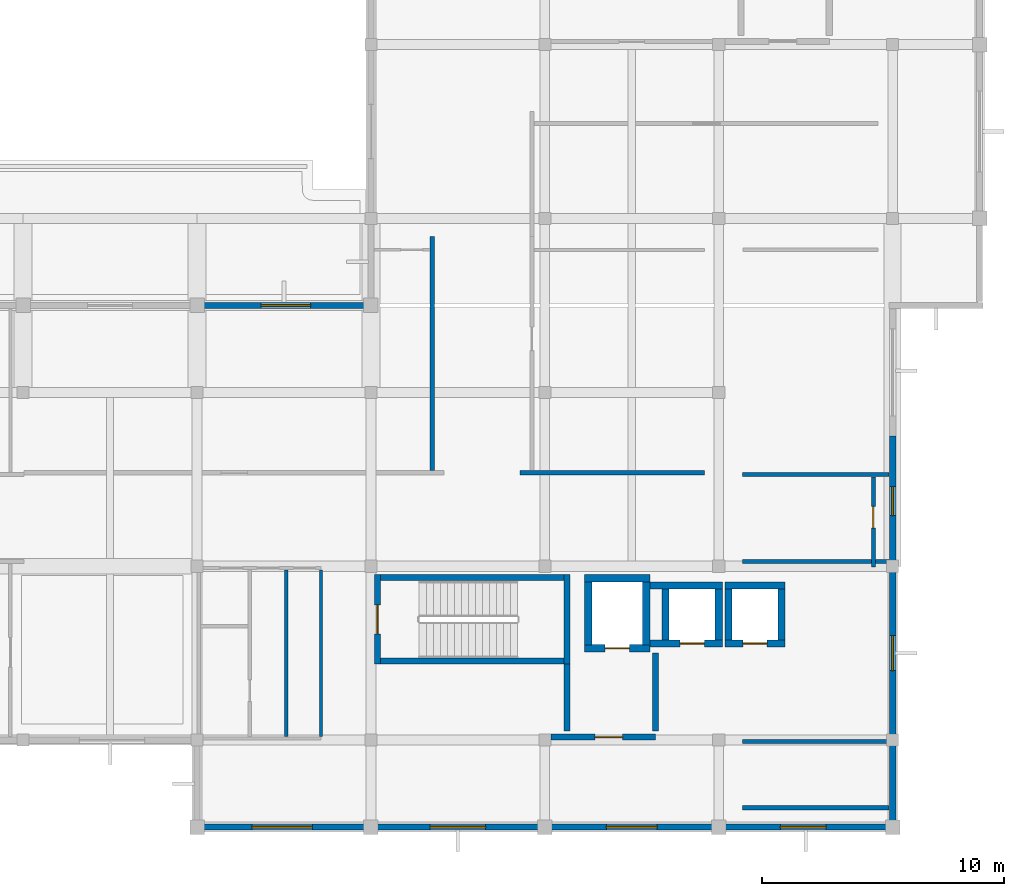
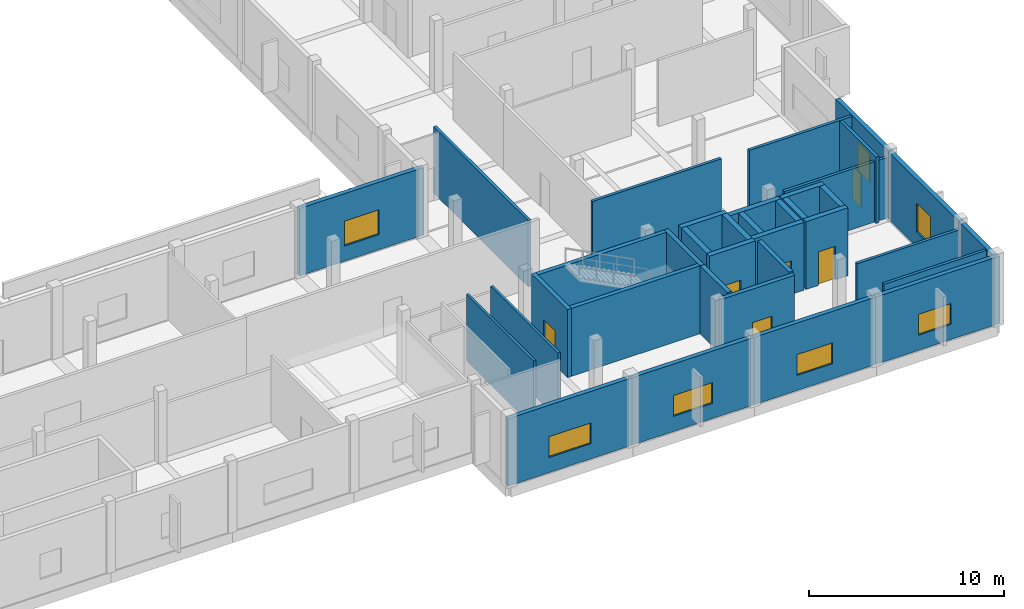
# One storey, part 4 of 9: 36 walls, 7 windows, 6 doors, 13 openings.
"""IFC4 building model written with IfcOpenShell, lengths in metres."""

from ifc_helpers import new_model, si_unit, direction, frame, frame_2d, origin, place, context, subcontext, project, spatial, rectangle, extrude, material, layer, layer_set, type_object, element, fill, save


model = new_model("IFC4")

# Units and contexts
model_context = context("Model", 3, precision=1e-05, world=origin(), true_north=direction((0.0, 1.0)))
body_context = subcontext(model_context, "Body", "Model", "MODEL_VIEW")
ifc_project = project(units=[si_unit("LENGTHUNIT", "METRE"), si_unit("AREAUNIT", "SQUARE_METRE"), si_unit("VOLUMEUNIT", "CUBIC_METRE"), si_unit("PLANEANGLEUNIT", "RADIAN"), si_unit("MASSUNIT", "GRAM", prefix="KILO")], contexts=[model_context])

# Site, building, storey
site_placement = place(None, origin())
site = spatial("IfcSite", under=ifc_project, at=site_placement, CompositionType="ELEMENT")
building_placement = place(site_placement, origin())
building = spatial("IfcBuilding", under=site, at=building_placement, Name="Seraya Terrace Polytechnic", CompositionType="ELEMENT")
storey_placement = place(building_placement, frame((0.0, 0.0, 32.39990234375)))
storey = spatial("IfcBuildingStorey", under=building, at=storey_placement, Name="L07", CompositionType="ELEMENT", Elevation=32.39990234375)

# Wall, opening, window
ifc_material_1 = material(Name="Precast concrete C40/50", Category="concrete")
ifc_layer_1 = layer(ifc_material_1, 0.260009765625, Name="EW-03")
ifc_layer_set_1 = layer_set([ifc_layer_1], Name="Precast concrete C40/50")
wall_type_1 = type_object("IfcWallType", Name="EW-03", PredefinedType="SOLIDWALL", material=ifc_layer_set_1)
wall_1_placement = place(storey_placement, frame((100.949951171875, 3.60009765625, 0.0), z_axis=(0.0, 0.0, 1.0), x_axis=(-1.0, 0.0, 0.0)))
wall_1 = element("IfcWall", 1, at=wall_1_placement, inside=storey, type_object=wall_type_1, Name="Exterior structural wall EW-03 L07", PredefinedType="SOLIDWALL", context=body_context, shape_type="SweptSolid", body=[
    extrude(rectangle(XDim=7.349853515625, YDim=0.260009765625, at=frame_2d((3.6748046875, 0.0))), origin(), (0.0, 0.0, 1.0), 4.22021484375),
])
opening_1_placement = place(wall_1_placement, frame((2.89990234375, 0.0, 0.949951171875)))
opening_1 = element("IfcOpeningElement", 2, at=opening_1_placement, cuts=wall_1, Name="Opening WN-07", PredefinedType="OPENING", context=body_context, shape_type="SweptSolid", body=[
    extrude(rectangle(XDim=1.89990234375, YDim=1.300048828125, at=frame_2d((0.949951171875, 0.64990234375))), frame((0.0, 0.14208984375, 0.0), z_axis=(0.0, -1.0, 0.0), x_axis=(1.0, 0.0, 0.0)), (0.0, 0.0, 1.0), 0.283935546875),
])
ifc_material_2 = material(Name="Laminated solar-control Low-E double glazing", Category="glass")
window_type_1 = type_object("IfcWindowType", Name="WN-07", PartitioningType="SINGLE_PANEL", PredefinedType="WINDOW", material=ifc_material_2)
window_1_placement = place(opening_1_placement, origin())
window_1 = element("IfcWindow", 3, at=window_1_placement, inside=storey, type_object=window_type_1, Name="Exterior window WN-07 L07", OverallHeight=1.300048828125, OverallWidth=1.89990234375, PartitioningType="SINGLE_PANEL", PredefinedType="WINDOW", context=body_context, shape_type="SweptSolid", body=[
    extrude(rectangle(XDim=1.89990234375, YDim=1.300048828125, at=frame_2d((0.949951171875, 0.64990234375))), frame((0.0, 0.030029296875, 0.0), z_axis=(0.0, -1.0, 0.0), x_axis=(1.0, 0.0, 0.0)), (0.0, 0.0, 1.0), 0.06005859375),
])
fill(opening_1, window_1)

wall_2_placement = place(storey_placement, frame((93.60009765625, 3.60009765625, 0.0), z_axis=(0.0, 0.0, 1.0), x_axis=(-1.0, 0.0, 0.0)))
wall_2 = element("IfcWall", 4, at=wall_2_placement, inside=storey, type_object=wall_type_1, Name="Exterior structural wall EW-03 L07", PredefinedType="SOLIDWALL", context=body_context, shape_type="SweptSolid", body=[
    extrude(rectangle(XDim=7.2001953125, YDim=0.260009765625, at=frame_2d((3.60009765625, 0.0))), origin(), (0.0, 0.0, 1.0), 4.22021484375),
])
opening_2_placement = place(wall_2_placement, frame((2.550048828125, 0.0, 0.949951171875)))
opening_2 = element("IfcOpeningElement", 5, at=opening_2_placement, cuts=wall_2, Name="Opening WN-08", PredefinedType="OPENING", context=body_context, shape_type="SweptSolid", body=[
    extrude(rectangle(XDim=2.10009765625, YDim=1.300048828125, at=frame_2d((1.050048828125, 0.64990234375))), frame((0.0, 0.14208984375, 0.0), z_axis=(0.0, -1.0, 0.0), x_axis=(1.0, 0.0, 0.0)), (0.0, 0.0, 1.0), 0.283935546875),
])
window_type_2 = type_object("IfcWindowType", Name="WN-08", PartitioningType="SINGLE_PANEL", PredefinedType="WINDOW", material=ifc_material_2)
window_2_placement = place(opening_2_placement, origin())
window_2 = element("IfcWindow", 6, at=window_2_placement, inside=storey, type_object=window_type_2, Name="Exterior window WN-08 L07", OverallHeight=1.300048828125, OverallWidth=2.10009765625, PartitioningType="SINGLE_PANEL", PredefinedType="WINDOW", context=body_context, shape_type="SweptSolid", body=[
    extrude(rectangle(XDim=2.10009765625, YDim=1.300048828125, at=frame_2d((1.050048828125, 0.64990234375))), frame((0.0, 0.030029296875, 0.0), z_axis=(0.0, -1.0, 0.0), x_axis=(1.0, 0.0, 0.0)), (0.0, 0.0, 1.0), 0.06005859375),
])
fill(opening_2, window_2)

wall_3_placement = place(storey_placement, frame((86.39990234375, 3.60009765625, 0.0), z_axis=(0.0, 0.0, 1.0), x_axis=(-1.0, 0.0, 0.0)))
wall_3 = element("IfcWall", 7, at=wall_3_placement, inside=storey, type_object=wall_type_1, Name="Exterior structural wall EW-03 L07", PredefinedType="SOLIDWALL", context=body_context, shape_type="SweptSolid", body=[
    extrude(rectangle(XDim=7.199951171875, YDim=0.260009765625, at=frame_2d((3.60009765625, 0.0))), origin(), (0.0, 0.0, 1.0), 4.22021484375),
])
opening_3_placement = place(wall_3_placement, frame((2.449951171875, 0.0, 0.949951171875)))
opening_3 = element("IfcOpeningElement", 8, at=opening_3_placement, cuts=wall_3, Name="Opening WN-09", PredefinedType="OPENING", context=body_context, shape_type="SweptSolid", body=[
    extrude(rectangle(XDim=2.300048828125, YDim=1.300048828125, at=frame_2d((1.14990234375, 0.64990234375))), frame((0.0, 0.14208984375, 0.0), z_axis=(0.0, -1.0, 0.0), x_axis=(1.0, 0.0, 0.0)), (0.0, 0.0, 1.0), 0.283935546875),
])
window_type_3 = type_object("IfcWindowType", Name="WN-09", PartitioningType="SINGLE_PANEL", PredefinedType="WINDOW", material=ifc_material_2)
window_3_placement = place(opening_3_placement, origin())
window_3 = element("IfcWindow", 9, at=window_3_placement, inside=storey, type_object=window_type_3, Name="Exterior window WN-09 L07", OverallHeight=1.300048828125, OverallWidth=2.300048828125, PartitioningType="SINGLE_PANEL", PredefinedType="WINDOW", context=body_context, shape_type="SweptSolid", body=[
    extrude(rectangle(XDim=2.300048828125, YDim=1.300048828125, at=frame_2d((1.14990234375, 0.64990234375))), frame((0.0, 0.030029296875, 0.0), z_axis=(0.0, -1.0, 0.0), x_axis=(1.0, 0.0, 0.0)), (0.0, 0.0, 1.0), 0.06005859375),
])
fill(opening_3, window_3)

wall_4_placement = place(storey_placement, frame((79.199951171875, 3.60009765625, 0.0), z_axis=(0.0, 0.0, 1.0), x_axis=(-1.0, 0.0, 0.0)))
wall_4 = element("IfcWall", 10, at=wall_4_placement, inside=storey, type_object=wall_type_1, Name="Exterior structural wall EW-03 L07", PredefinedType="SOLIDWALL", context=body_context, shape_type="SweptSolid", body=[
    extrude(rectangle(XDim=7.349853515625, YDim=0.260009765625, at=frame_2d((3.6748046875, 0.0))), origin(), (0.0, 0.0, 1.0), 4.22021484375),
])
opening_4_placement = place(wall_4_placement, frame((2.425048828125, 0.0, 0.949951171875)))
opening_4 = element("IfcOpeningElement", 11, at=opening_4_placement, cuts=wall_4, Name="Opening WN-10", PredefinedType="OPENING", context=body_context, shape_type="SweptSolid", body=[
    extrude(rectangle(XDim=2.5, YDim=1.300048828125, at=frame_2d((1.25, 0.64990234375))), frame((0.0, 0.14208984375, 0.0), z_axis=(0.0, -1.0, 0.0), x_axis=(1.0, 0.0, 0.0)), (0.0, 0.0, 1.0), 0.283935546875),
])
window_type_4 = type_object("IfcWindowType", Name="WN-10", PartitioningType="SINGLE_PANEL", PredefinedType="WINDOW", material=ifc_material_2)
window_4_placement = place(opening_4_placement, origin())
window_4 = element("IfcWindow", 12, at=window_4_placement, inside=storey, type_object=window_type_4, Name="Exterior window WN-10 L07", OverallHeight=1.300048828125, OverallWidth=2.5, PartitioningType="SINGLE_PANEL", PredefinedType="WINDOW", context=body_context, shape_type="SweptSolid", body=[
    extrude(rectangle(XDim=2.5, YDim=1.300048828125, at=frame_2d((1.25, 0.64990234375))), frame((0.0, 0.030029296875, 0.0), z_axis=(0.0, -1.0, 0.0), x_axis=(1.0, 0.0, 0.0)), (0.0, 0.0, 1.0), 0.06005859375),
])
fill(opening_4, window_4)

wall_5_placement = place(storey_placement, frame((72.0, 25.199951171875, 0.0), z_axis=(0.0, 0.0, 1.0), x_axis=(1.0, 0.0, 0.0)))
wall_5 = element("IfcWall", 13, at=wall_5_placement, inside=storey, type_object=wall_type_1, Name="Exterior structural wall EW-03 L07", PredefinedType="SOLIDWALL", context=body_context, shape_type="SweptSolid", body=[
    extrude(rectangle(XDim=7.35009765625, YDim=0.260009765625, at=frame_2d((3.675048828125, 0.0))), origin(), (0.0, 0.0, 1.0), 4.22021484375),
])
opening_5_placement = place(wall_5_placement, frame((2.64990234375, 0.0, 0.949951171875)))
opening_5 = element("IfcOpeningElement", 14, at=opening_5_placement, cuts=wall_5, Name="Opening WN-19", PredefinedType="OPENING", context=body_context, shape_type="SweptSolid", body=[
    extrude(rectangle(XDim=2.050048828125, YDim=1.550048828125, at=frame_2d((1.02490234375, 0.77490234375))), frame((0.0, 0.14208984375, 0.0), z_axis=(0.0, -1.0, 0.0), x_axis=(1.0, 0.0, 0.0)), (0.0, 0.0, 1.0), 0.283935546875),
])
window_type_5 = type_object("IfcWindowType", Name="WN-19", PartitioningType="SINGLE_PANEL", PredefinedType="WINDOW", material=ifc_material_2)
window_5_placement = place(opening_5_placement, origin())
window_5 = element("IfcWindow", 15, at=window_5_placement, inside=storey, type_object=window_type_5, Name="Exterior window WN-19 L07", OverallHeight=1.550048828125, OverallWidth=2.050048828125, PartitioningType="SINGLE_PANEL", PredefinedType="WINDOW", context=body_context, shape_type="SweptSolid", body=[
    extrude(rectangle(XDim=2.050048828125, YDim=1.550048828125, at=frame_2d((1.02490234375, 0.77490234375))), frame((0.0, 0.030029296875, 0.0), z_axis=(0.0, -1.0, 0.0), x_axis=(1.0, 0.0, 0.0)), (0.0, 0.0, 1.0), 0.06005859375),
])
fill(opening_5, window_5)

wall_6_placement = place(storey_placement, frame((100.800048828125, 19.800048828125, 0.0), z_axis=(0.0, 0.0, 1.0), x_axis=(0.0, -1.0, 0.0)))
wall_6 = element("IfcWall", 16, at=wall_6_placement, inside=storey, type_object=wall_type_1, Name="Exterior structural wall EW-03 L07", PredefinedType="SOLIDWALL", context=body_context, shape_type="SweptSolid", body=[
    extrude(rectangle(XDim=5.400146484375, YDim=0.260009765625, at=frame_2d((2.7001953125, 0.0))), origin(), (0.0, 0.0, 1.0), 4.22021484375),
])
opening_6_placement = place(wall_6_placement, frame((2.10009765625, 0.0, 0.949951171875)))
opening_6 = element("IfcOpeningElement", 17, at=opening_6_placement, cuts=wall_6, Name="Opening WN-27", PredefinedType="OPENING", context=body_context, shape_type="SweptSolid", body=[
    extrude(rectangle(XDim=1.199951171875, YDim=1.800048828125, at=frame_2d((0.60009765625, 0.89990234375))), frame((0.0, 0.14208984375, 0.0), z_axis=(0.0, -1.0, 0.0), x_axis=(1.0, 0.0, 0.0)), (0.0, 0.0, 1.0), 0.283935546875),
])
window_type_6 = type_object("IfcWindowType", Name="WN-27", PartitioningType="SINGLE_PANEL", PredefinedType="WINDOW", material=ifc_material_2)
window_6_placement = place(opening_6_placement, origin())
window_6 = element("IfcWindow", 18, at=window_6_placement, inside=storey, type_object=window_type_6, Name="Exterior window WN-27 L07", OverallHeight=1.800048828125, OverallWidth=1.199951171875, PartitioningType="SINGLE_PANEL", PredefinedType="WINDOW", context=body_context, shape_type="SweptSolid", body=[
    extrude(rectangle(XDim=1.199951171875, YDim=1.800048828125, at=frame_2d((0.60009765625, 0.89990234375))), frame((0.0, 0.030029296875, 0.0), z_axis=(0.0, -1.0, 0.0), x_axis=(1.0, 0.0, 0.0)), (0.0, 0.0, 1.0), 0.06005859375),
])
fill(opening_6, window_6)

wall_7_placement = place(storey_placement, frame((100.800048828125, 14.39990234375, 0.0), z_axis=(0.0, 0.0, 1.0), x_axis=(0.0, -1.0, 0.0)))
wall_7 = element("IfcWall", 19, at=wall_7_placement, inside=storey, type_object=wall_type_1, Name="Exterior structural wall EW-03 L07", PredefinedType="SOLIDWALL", context=body_context, shape_type="SweptSolid", body=[
    extrude(rectangle(XDim=7.199951171875, YDim=0.260009765625, at=frame_2d((3.60009765625, 0.0))), origin(), (0.0, 0.0, 1.0), 4.22021484375),
])
opening_7_placement = place(wall_7_placement, frame((2.875, 0.0, 0.949951171875)))
opening_7 = element("IfcOpeningElement", 20, at=opening_7_placement, cuts=wall_7, Name="Opening WN-28", PredefinedType="OPENING", context=body_context, shape_type="SweptSolid", body=[
    extrude(rectangle(XDim=1.449951171875, YDim=1.800048828125, at=frame_2d((0.72509765625, 0.89990234375))), frame((0.0, 0.14208984375, 0.0), z_axis=(0.0, -1.0, 0.0), x_axis=(1.0, 0.0, 0.0)), (0.0, 0.0, 1.0), 0.283935546875),
])
window_type_7 = type_object("IfcWindowType", Name="WN-28", PartitioningType="SINGLE_PANEL", PredefinedType="WINDOW", material=ifc_material_2)
window_7_placement = place(opening_7_placement, origin())
window_7 = element("IfcWindow", 21, at=window_7_placement, inside=storey, type_object=window_type_7, Name="Exterior window WN-28 L07", OverallHeight=1.800048828125, OverallWidth=1.449951171875, PartitioningType="SINGLE_PANEL", PredefinedType="WINDOW", context=body_context, shape_type="SweptSolid", body=[
    extrude(rectangle(XDim=1.449951171875, YDim=1.800048828125, at=frame_2d((0.72509765625, 0.89990234375))), frame((0.0, 0.030029296875, 0.0), z_axis=(0.0, -1.0, 0.0), x_axis=(1.0, 0.0, 0.0)), (0.0, 0.0, 1.0), 0.06005859375),
])
fill(opening_7, window_7)

# Walls
wall_8_placement = place(storey_placement, frame((100.800048828125, 7.199951171875, 0.0), z_axis=(0.0, 0.0, 1.0), x_axis=(0.0, -1.0, 0.0)))
element("IfcWall", 22, at=wall_8_placement, inside=storey, type_object=wall_type_1, Name="Exterior structural wall EW-03 L07", PredefinedType="SOLIDWALL", context=body_context, shape_type="SweptSolid", body=[
    extrude(rectangle(XDim=3.447998046875, YDim=0.260009765625, at=frame_2d((1.72412109375, 0.0))), origin(), (0.0, 0.0, 1.0), 4.22021484375),
])
ifc_material_3 = material(Name="Autoclaved aerated concrete blockwork", Category="masonry")
ifc_layer_2 = layer(ifc_material_3, 0.169921875, Name="PT-02")
ifc_layer_set_2 = layer_set([ifc_layer_2], Name="Autoclaved aerated concrete blockwork")
wall_type_2 = type_object("IfcWallType", Name="PT-02", PredefinedType="PARTITIONING", material=ifc_layer_set_2)
wall_9_placement = place(storey_placement, frame((94.58837890625, 18.199951171875, 0.0), z_axis=(0.0, 0.0, 1.0), x_axis=(1.0, 0.0, 0.0)))
element("IfcWall", 23, at=wall_9_placement, inside=storey, type_object=wall_type_2, Name="Internal partition PT-02 L07", PredefinedType="PARTITIONING", context=body_context, shape_type="SweptSolid", body=[
    extrude(rectangle(XDim=6.069580078125, YDim=0.169921875, at=frame_2d((3.03466796875, 0.0))), origin(), (0.0, 0.0, 1.0), 4.16015625),
])

# Wall, opening, door
wall_10_placement = place(storey_placement, frame((100.0, 14.360107421875, 0.0), z_axis=(0.0, 0.0, 1.0), x_axis=(0.0, 1.0, 0.0)))
wall_10 = element("IfcWall", 24, at=wall_10_placement, inside=storey, type_object=wall_type_2, Name="Internal partition PT-02 L07", PredefinedType="PARTITIONING", context=body_context, shape_type="SweptSolid", body=[
    extrude(rectangle(XDim=3.739990234375, YDim=0.169921875, at=frame_2d((1.8701171875, 0.0))), origin(), (0.0, 0.0, 1.0), 4.16015625),
])
opening_8_placement = place(wall_10_placement, frame((1.6201171875, 0.0, 0.0)))
opening_8 = element("IfcOpeningElement", 25, at=opening_8_placement, cuts=wall_10, Name="Opening ID-02", PredefinedType="OPENING", context=body_context, shape_type="SweptSolid", body=[
    extrude(rectangle(XDim=0.89990234375, YDim=2.080078125, at=frame_2d((0.449951171875, 1.0400390625))), frame((0.0, 0.096923828125, 0.0), z_axis=(0.0, -1.0, 0.0), x_axis=(1.0, 0.0, 0.0)), (0.0, 0.0, 1.0), 0.19384765625),
])
ifc_material_4 = material(Name="Malaysian dark red meranti hardwood timber D40", Category="wood")
door_type_1 = type_object("IfcDoorType", Name="ID-02", OperationType="NOTDEFINED", PredefinedType="DOOR", material=ifc_material_4)
door_1_placement = place(opening_8_placement, origin())
door_1 = element("IfcDoor", 26, at=door_1_placement, inside=storey, type_object=door_type_1, Name="Door ID-02 DR-INT-L07-0278 in WL-INT-L07-0786", OperationType="SINGLE_SWING_LEFT", OverallHeight=2.080078125, OverallWidth=0.89990234375, PredefinedType="DOOR", context=body_context, shape_type="SweptSolid", body=[
    extrude(rectangle(XDim=0.89990234375, YDim=2.080078125, at=frame_2d((0.449951171875, 1.0400390625))), frame((0.0, 0.02490234375, 0.0), z_axis=(0.0, -1.0, 0.0), x_axis=(1.0, 0.0, 0.0)), (0.0, 0.0, 1.0), 0.050048828125),
])
fill(opening_8, door_1)

# Walls
wall_11_placement = place(storey_placement, frame((94.58837890625, 14.60009765625, 0.0), z_axis=(0.0, 0.0, 1.0), x_axis=(1.0, 0.0, 0.0)))
element("IfcWall", 27, at=wall_11_placement, inside=storey, type_object=wall_type_2, Name="Internal partition PT-02 L07", PredefinedType="PARTITIONING", context=body_context, shape_type="SweptSolid", body=[
    extrude(rectangle(XDim=6.069580078125, YDim=0.169921875, at=frame_2d((3.03466796875, 0.0))), origin(), (0.0, 0.0, 1.0), 3.780029296875),
])
wall_12_placement = place(storey_placement, frame((85.366455078125, 18.27001953125, 0.0), z_axis=(0.0, 0.0, 1.0), x_axis=(1.0, 0.0, 0.0)))
element("IfcWall", 28, at=wall_12_placement, inside=storey, type_object=wall_type_2, Name="Internal partition PT-02 L07", PredefinedType="PARTITIONING", context=body_context, shape_type="SweptSolid", body=[
    extrude(rectangle(XDim=7.633544921875, YDim=0.169921875, at=frame_2d((3.81689453125, 0.0))), origin(), (0.0, 0.0, 1.0), 4.16015625),
])
wall_13_placement = place(storey_placement, frame((94.58837890625, 4.39990234375, 0.0), z_axis=(0.0, 0.0, 1.0), x_axis=(1.0, 0.0, 0.0)))
element("IfcWall", 29, at=wall_13_placement, inside=storey, type_object=wall_type_2, Name="Internal partition PT-02 L07", PredefinedType="PARTITIONING", context=body_context, shape_type="SweptSolid", body=[
    extrude(rectangle(XDim=6.069580078125, YDim=0.169921875, at=frame_2d((3.03466796875, 0.0))), origin(), (0.0, 0.0, 1.0), 4.16015625),
])
wall_14_placement = place(storey_placement, frame((94.58837890625, 7.14990234375, 0.0), z_axis=(0.0, 0.0, 1.0), x_axis=(1.0, 0.0, 0.0)))
element("IfcWall", 30, at=wall_14_placement, inside=storey, type_object=wall_type_2, Name="Internal partition PT-02 L07", PredefinedType="PARTITIONING", context=body_context, shape_type="SweptSolid", body=[
    extrude(rectangle(XDim=6.069580078125, YDim=0.169921875, at=frame_2d((3.03466796875, 0.0))), origin(), (0.0, 0.0, 1.0), 3.780029296875),
])
wall_15_placement = place(storey_placement, frame((81.73681640625, 18.3701171875, 0.0), z_axis=(0.0, 0.0, 1.0), x_axis=(0.0, 1.0, 0.0)))
element("IfcWall", 31, at=wall_15_placement, inside=storey, type_object=wall_type_2, Name="Internal partition PT-02 L07", PredefinedType="PARTITIONING", context=body_context, shape_type="SweptSolid", body=[
    extrude(rectangle(XDim=9.68994140625, YDim=0.169921875, at=frame_2d((4.844970703125, 0.0))), origin(), (0.0, 0.0, 1.0), 4.16015625),
])
ifc_layer_3 = layer(ifc_material_3, 0.139892578125, Name="PT-04")
ifc_layer_set_3 = layer_set([ifc_layer_3], Name="Autoclaved aerated concrete blockwork")
wall_type_3 = type_object("IfcWallType", Name="PT-04", PredefinedType="PARTITIONING", material=ifc_layer_set_3)
for number, where, z_axis, x_axis, name in (
    (32, (77.1298828125, 7.35009765625, 0.0), (0.0, 0.0, 1.0), (0.0, 1.0, 0.0), "Sanitary WC-A East wall L07"),
    (33, (75.68994140625, 7.35009765625, 0.0), (0.0, 0.0, 1.0), (0.0, 1.0, 0.0), "Sanitary WC-A Male/Female divider L07"),
):
    element("IfcWall", number, at=place(storey_placement, frame(where, z_axis=z_axis, x_axis=x_axis)), inside=storey, type_object=wall_type_3, Name=name, PredefinedType="PARTITIONING", context=body_context, shape_type="SweptSolid", body=[
        extrude(rectangle(XDim=6.89990234375, YDim=0.139892578125, at=frame_2d((3.449951171875, 0.0))), origin(), (0.0, 0.0, 1.0), 4.16015625),
    ])

# Wall, opening, door
ifc_material_5 = material(Name="Concrete C40/50", Category="concrete")
ifc_layer_4 = layer(ifc_material_5, 0.300048828125, Name="SW-01")
ifc_layer_set_4 = layer_set([ifc_layer_4], Name="Concrete C40/50")
wall_type_4 = type_object("IfcWallType", Name="SW-01", PredefinedType="SHEAR", material=ifc_layer_set_4)
wall_16_placement = place(storey_placement, frame((88.050048828125, 11.0, 0.0), z_axis=(0.0, 0.0, 1.0), x_axis=(1.0, 0.0, 0.0)))
wall_16 = element("IfcWall", 34, at=wall_16_placement, inside=storey, type_object=wall_type_4, Name="Lift shaft FL-01 South wall L07", PredefinedType="SHEAR", context=body_context, shape_type="SweptSolid", body=[
    extrude(rectangle(XDim=2.699951171875, YDim=0.300048828125, at=frame_2d((1.35009765625, 0.0))), origin(), (0.0, 0.0, 1.0), 4.25),
])
opening_9_placement = place(wall_16_placement, frame((0.85009765625, 0.0, 0.0)))
opening_9 = element("IfcOpeningElement", 35, at=opening_9_placement, cuts=wall_16, Name="Opening LD-01", PredefinedType="OPENING", context=body_context, shape_type="SweptSolid", body=[
    extrude(rectangle(XDim=1.0, YDim=2.10009765625, at=frame_2d((0.5, 1.050048828125))), frame((0.0, 0.162109375, 0.0), z_axis=(0.0, -1.0, 0.0), x_axis=(1.0, 0.0, 0.0)), (0.0, 0.0, 1.0), 0.323974609375),
])
ifc_material_6 = material(Name="Steel S355J2", Category="steel")
door_type_2 = type_object("IfcDoorType", Name="LD-01", OperationType="SLIDING_TO_LEFT", PredefinedType="DOOR", material=ifc_material_6)
door_2_placement = place(opening_9_placement, frame((1.0, 0.0, 0.0), z_axis=(0.0, 0.0, 1.0), x_axis=(-1.0, 0.0, 0.0)))
door_2 = element("IfcDoor", 36, at=door_2_placement, inside=storey, type_object=door_type_2, Name="Door LD-01 LD-FL-01-L07 in WL-SHF-FL-01-L07-S", OperationType="SLIDING_TO_LEFT", OverallHeight=2.10009765625, OverallWidth=1.0, PredefinedType="DOOR", context=body_context, shape_type="SweptSolid", body=[
    extrude(rectangle(XDim=1.0, YDim=2.10009765625, at=frame_2d((0.5, 1.050048828125))), frame((0.0, 0.02490234375, 0.0), z_axis=(0.0, -1.0, 0.0), x_axis=(1.0, 0.0, 0.0)), (0.0, 0.0, 1.0), 0.050048828125),
])
fill(opening_9, door_2)

# Walls
wall_17_placement = place(storey_placement, frame((88.050048828125, 13.89990234375, 0.0), z_axis=(0.0, 0.0, 1.0), x_axis=(1.0, 0.0, 0.0)))
element("IfcWall", 37, at=wall_17_placement, inside=storey, type_object=wall_type_4, Name="Lift shaft FL-01 North wall L07", PredefinedType="SHEAR", context=body_context, shape_type="SweptSolid", body=[
    extrude(rectangle(XDim=2.699951171875, YDim=0.300048828125, at=frame_2d((1.35009765625, 0.0))), origin(), (0.0, 0.0, 1.0), 4.25),
])
for number, where, z_axis, x_axis, name in (
    (38, (88.199951171875, 11.14990234375, 0.0), (0.0, 0.0, 1.0), (0.0, 1.0, 0.0), "Lift shaft FL-01 West wall L07"),
    (39, (90.60009765625, 11.14990234375, 0.0), (0.0, 0.0, 1.0), (0.0, 1.0, 0.0), "Lift shaft FL-01 East wall L07"),
):
    element("IfcWall", number, at=place(storey_placement, frame(where, z_axis=z_axis, x_axis=x_axis)), inside=storey, type_object=wall_type_4, Name=name, PredefinedType="SHEAR", context=body_context, shape_type="SweptSolid", body=[
        extrude(rectangle(XDim=2.60009765625, YDim=0.300048828125, at=frame_2d((1.300048828125, 0.0))), origin(), (0.0, 0.0, 1.0), 4.25),
    ])

# Wall, opening, door
wall_18_placement = place(storey_placement, frame((90.75, 11.199951171875, 0.0), z_axis=(0.0, 0.0, 1.0), x_axis=(1.0, 0.0, 0.0)))
wall_18 = element("IfcWall", 40, at=wall_18_placement, inside=storey, type_object=wall_type_4, Name="Lift shaft PL-01 South wall L07", PredefinedType="SHEAR", context=body_context, shape_type="SweptSolid", body=[
    extrude(rectangle(XDim=3.0, YDim=0.300048828125, at=frame_2d((1.5, 0.0))), origin(), (0.0, 0.0, 1.0), 4.25),
])
opening_10_placement = place(wall_18_placement, frame((1.25, 0.0, 0.0)))
opening_10 = element("IfcOpeningElement", 41, at=opening_10_placement, cuts=wall_18, Name="Opening LD-01", PredefinedType="OPENING", context=body_context, shape_type="SweptSolid", body=[
    extrude(rectangle(XDim=1.0, YDim=2.10009765625, at=frame_2d((0.5, 1.050048828125))), frame((0.0, 0.162109375, 0.0), z_axis=(0.0, -1.0, 0.0), x_axis=(1.0, 0.0, 0.0)), (0.0, 0.0, 1.0), 0.323974609375),
])
door_3_placement = place(opening_10_placement, frame((1.0, 0.0, 0.0), z_axis=(0.0, 0.0, 1.0), x_axis=(-1.0, 0.0, 0.0)))
door_3 = element("IfcDoor", 42, at=door_3_placement, inside=storey, type_object=door_type_2, Name="Door LD-01 LD-PL-01-L07 in WL-SHF-PL-01-L07-S", OperationType="SLIDING_TO_RIGHT", OverallHeight=2.10009765625, OverallWidth=1.0, PredefinedType="DOOR", context=body_context, shape_type="SweptSolid", body=[
    extrude(rectangle(XDim=1.0, YDim=2.10009765625, at=frame_2d((0.5, 1.050048828125))), frame((0.0, 0.02490234375, 0.0), z_axis=(0.0, -1.0, 0.0), x_axis=(1.0, 0.0, 0.0)), (0.0, 0.0, 1.0), 0.050048828125),
])
fill(opening_10, door_3)

# Walls
wall_19_placement = place(storey_placement, frame((90.75, 13.60009765625, 0.0), z_axis=(0.0, 0.0, 1.0), x_axis=(1.0, 0.0, 0.0)))
element("IfcWall", 43, at=wall_19_placement, inside=storey, type_object=wall_type_4, Name="Lift shaft PL-01 North wall L07", PredefinedType="SHEAR", context=body_context, shape_type="SweptSolid", body=[
    extrude(rectangle(XDim=3.0, YDim=0.300048828125, at=frame_2d((1.5, 0.0))), origin(), (0.0, 0.0, 1.0), 4.25),
])
for number, where, z_axis, x_axis, name in (
    (44, (91.39990234375, 11.35009765625, 0.0), (0.0, 0.0, 1.0), (0.0, 1.0, 0.0), "Lift shaft PL-01 West wall L07"),
    (45, (93.60009765625, 11.35009765625, 0.0), (0.0, 0.0, 1.0), (0.0, 1.0, 0.0), "Lift shaft PL-01 East wall L07"),
):
    element("IfcWall", number, at=place(storey_placement, frame(where, z_axis=z_axis, x_axis=x_axis)), inside=storey, type_object=wall_type_4, Name=name, PredefinedType="SHEAR", context=body_context, shape_type="SweptSolid", body=[
        extrude(rectangle(XDim=2.099853515625, YDim=0.300048828125, at=frame_2d((1.0498046875, 0.0))), origin(), (0.0, 0.0, 1.0), 4.25),
    ])

# Wall, opening, door
wall_20_placement = place(storey_placement, frame((93.85009765625, 11.199951171875, 0.0), z_axis=(0.0, 0.0, 1.0), x_axis=(1.0, 0.0, 0.0)))
wall_20 = element("IfcWall", 46, at=wall_20_placement, inside=storey, type_object=wall_type_4, Name="Lift shaft PL-02 South wall L07", PredefinedType="SHEAR", context=body_context, shape_type="SweptSolid", body=[
    extrude(rectangle(XDim=2.5, YDim=0.300048828125, at=frame_2d((1.25, 0.0))), origin(), (0.0, 0.0, 1.0), 4.25),
])
opening_11_placement = place(wall_20_placement, frame((0.75, 0.0, 0.0)))
opening_11 = element("IfcOpeningElement", 47, at=opening_11_placement, cuts=wall_20, Name="Opening LD-01", PredefinedType="OPENING", context=body_context, shape_type="SweptSolid", body=[
    extrude(rectangle(XDim=1.0, YDim=2.10009765625, at=frame_2d((0.5, 1.050048828125))), frame((0.0, 0.162109375, 0.0), z_axis=(0.0, -1.0, 0.0), x_axis=(1.0, 0.0, 0.0)), (0.0, 0.0, 1.0), 0.323974609375),
])
door_4_placement = place(opening_11_placement, frame((1.0, 0.0, 0.0), z_axis=(0.0, 0.0, 1.0), x_axis=(-1.0, 0.0, 0.0)))
door_4 = element("IfcDoor", 48, at=door_4_placement, inside=storey, type_object=door_type_2, Name="Door LD-01 LD-PL-02-L07 in WL-SHF-PL-02-L07-S", OperationType="SLIDING_TO_LEFT", OverallHeight=2.10009765625, OverallWidth=1.0, PredefinedType="DOOR", context=body_context, shape_type="SweptSolid", body=[
    extrude(rectangle(XDim=1.0, YDim=2.10009765625, at=frame_2d((0.5, 1.050048828125))), frame((0.0, 0.02490234375, 0.0), z_axis=(0.0, -1.0, 0.0), x_axis=(1.0, 0.0, 0.0)), (0.0, 0.0, 1.0), 0.050048828125),
])
fill(opening_11, door_4)

# Walls
wall_21_placement = place(storey_placement, frame((93.85009765625, 13.60009765625, 0.0), z_axis=(0.0, 0.0, 1.0), x_axis=(1.0, 0.0, 0.0)))
element("IfcWall", 49, at=wall_21_placement, inside=storey, type_object=wall_type_4, Name="Lift shaft PL-02 North wall L07", PredefinedType="SHEAR", context=body_context, shape_type="SweptSolid", body=[
    extrude(rectangle(XDim=2.5, YDim=0.300048828125, at=frame_2d((1.25, 0.0))), origin(), (0.0, 0.0, 1.0), 4.25),
])
for number, where, z_axis, x_axis, name in (
    (50, (94.0, 11.35009765625, 0.0), (0.0, 0.0, 1.0), (0.0, 1.0, 0.0), "Lift shaft PL-02 West wall L07"),
    (51, (96.199951171875, 11.35009765625, 0.0), (0.0, 0.0, 1.0), (0.0, 1.0, 0.0), "Lift shaft PL-02 East wall L07"),
):
    element("IfcWall", number, at=place(storey_placement, frame(where, z_axis=z_axis, x_axis=x_axis)), inside=storey, type_object=wall_type_4, Name=name, PredefinedType="SHEAR", context=body_context, shape_type="SweptSolid", body=[
        extrude(rectangle(XDim=2.099853515625, YDim=0.300048828125, at=frame_2d((1.0498046875, 0.0))), origin(), (0.0, 0.0, 1.0), 4.25),
    ])

# Wall, opening, door
ifc_layer_5 = layer(ifc_material_5, 0.25, Name="SW-02")
ifc_layer_set_5 = layer_set([ifc_layer_5], Name="Concrete C40/50")
wall_type_5 = type_object("IfcWallType", Name="SW-02", PredefinedType="SHEAR", material=ifc_layer_set_5)
wall_22_placement = place(storey_placement, frame((79.47509765625, 10.35009765625, 0.0), z_axis=(0.0, 0.0, 1.0), x_axis=(0.0, 1.0, 0.0)))
wall_22 = element("IfcWall", 52, at=wall_22_placement, inside=storey, type_object=wall_type_5, Name="Stairwell ST-01 West wall L07", PredefinedType="SHEAR", context=body_context, shape_type="SweptSolid", body=[
    extrude(rectangle(XDim=3.699951171875, YDim=0.25, at=frame_2d((1.85009765625, 0.0))), origin(), (0.0, 0.0, 1.0), 4.25),
])
opening_12_placement = place(wall_22_placement, frame((1.25, 0.0, 0.0)))
opening_12 = element("IfcOpeningElement", 53, at=opening_12_placement, cuts=wall_22, Name="Opening FD-01", PredefinedType="OPENING", context=body_context, shape_type="SweptSolid", body=[
    extrude(rectangle(XDim=1.199951171875, YDim=2.14990234375, at=frame_2d((0.60009765625, 1.074951171875))), frame((0.0, 0.136962890625, 0.0), z_axis=(0.0, -1.0, 0.0), x_axis=(1.0, 0.0, 0.0)), (0.0, 0.0, 1.0), 0.27392578125),
])
door_type_3 = type_object("IfcDoorType", Name="FD-01", OperationType="NOTDEFINED", PredefinedType="DOOR", material=ifc_material_6)
door_5_placement = place(opening_12_placement, frame((1.199951171875, 0.0, 0.0), z_axis=(0.0, 0.0, 1.0), x_axis=(-1.0, 0.0, 0.0)))
door_5 = element("IfcDoor", 54, at=door_5_placement, inside=storey, type_object=door_type_3, Name="Door FD-01 DR-STR-ST-01-L07 in WL-STR-ST-01-L07-W", OperationType="SINGLE_SWING_LEFT", OverallHeight=2.14990234375, OverallWidth=1.199951171875, PredefinedType="DOOR", context=body_context, shape_type="SweptSolid", body=[
    extrude(rectangle(XDim=1.199951171875, YDim=2.14990234375, at=frame_2d((0.60009765625, 1.074951171875))), frame((0.0, 0.02490234375, 0.0), z_axis=(0.0, -1.0, 0.0), x_axis=(1.0, 0.0, 0.0)), (0.0, 0.0, 1.0), 0.050048828125),
])
fill(opening_12, door_5)

# Walls
wall_23_placement = place(storey_placement, frame((87.324951171875, 10.35009765625, 0.0), z_axis=(0.0, 0.0, 1.0), x_axis=(0.0, 1.0, 0.0)))
element("IfcWall", 55, at=wall_23_placement, inside=storey, type_object=wall_type_5, Name="Stairwell ST-01 East wall L07", PredefinedType="SHEAR", context=body_context, shape_type="SweptSolid", body=[
    extrude(rectangle(XDim=3.699951171875, YDim=0.25, at=frame_2d((1.85009765625, 0.0))), origin(), (0.0, 0.0, 1.0), 4.25),
])
for number, where, z_axis, x_axis, name in (
    (56, (79.60009765625, 10.47509765625, 0.0), (0.0, 0.0, 1.0), (1.0, 0.0, 0.0), "Stairwell ST-01 South wall L07"),
    (57, (79.60009765625, 13.925048828125, 0.0), (0.0, 0.0, 1.0), (1.0, 0.0, 0.0), "Stairwell ST-01 North wall L07"),
):
    element("IfcWall", number, at=place(storey_placement, frame(where, z_axis=z_axis, x_axis=x_axis)), inside=storey, type_object=wall_type_5, Name=name, PredefinedType="SHEAR", context=body_context, shape_type="SweptSolid", body=[
        extrude(rectangle(XDim=7.599853515625, YDim=0.25, at=frame_2d((3.7998046875, 0.0))), origin(), (0.0, 0.0, 1.0), 4.25),
    ])

# Wall, opening, door
wall_24_placement = place(storey_placement, frame((86.64990234375, 7.324951171875, 0.0), z_axis=(0.0, 0.0, 1.0), x_axis=(1.0, 0.0, 0.0)))
wall_24 = element("IfcWall", 58, at=wall_24_placement, inside=storey, type_object=wall_type_5, Name="Firefighting lobby A South wall L07", PredefinedType="SHEAR", context=body_context, shape_type="SweptSolid", body=[
    extrude(rectangle(XDim=4.3251953125, YDim=0.25, at=frame_2d((2.16259765625, 0.0))), origin(), (0.0, 0.0, 1.0), 4.25),
])
opening_13_placement = place(wall_24_placement, frame((1.824951171875, 0.0, 0.0)))
opening_13 = element("IfcOpeningElement", 59, at=opening_13_placement, cuts=wall_24, Name="Opening FD-02", PredefinedType="OPENING", context=body_context, shape_type="SweptSolid", body=[
    extrude(rectangle(XDim=1.14990234375, YDim=2.14990234375, at=frame_2d((0.574951171875, 1.074951171875))), frame((0.0, 0.136962890625, 0.0), z_axis=(0.0, -1.0, 0.0), x_axis=(1.0, 0.0, 0.0)), (0.0, 0.0, 1.0), 0.27392578125),
])
door_type_4 = type_object("IfcDoorType", Name="FD-02", OperationType="NOTDEFINED", PredefinedType="DOOR", material=ifc_material_6)
door_6_placement = place(opening_13_placement, frame((1.14990234375, 0.0, 0.0), z_axis=(0.0, 0.0, 1.0), x_axis=(-1.0, 0.0, 0.0)))
door_6 = element("IfcDoor", 60, at=door_6_placement, inside=storey, type_object=door_type_4, Name="Door FD-02 DR-FFL-CORE-A-L07 in WL-FFL-CORE-A-L07-S", OperationType="SINGLE_SWING_LEFT", OverallHeight=2.14990234375, OverallWidth=1.14990234375, PredefinedType="DOOR", context=body_context, shape_type="SweptSolid", body=[
    extrude(rectangle(XDim=1.14990234375, YDim=2.14990234375, at=frame_2d((0.574951171875, 1.074951171875))), frame((0.0, 0.02490234375, 0.0), z_axis=(0.0, -1.0, 0.0), x_axis=(1.0, 0.0, 0.0)), (0.0, 0.0, 1.0), 0.050048828125),
])
fill(opening_13, door_6)

# Walls
wall_25_placement = place(storey_placement, frame((87.324951171875, 7.574951171875, 0.0), z_axis=(0.0, 0.0, 1.0), x_axis=(0.0, 1.0, 0.0)))
element("IfcWall", 61, at=wall_25_placement, inside=storey, type_object=wall_type_5, Name="Firefighting lobby A West wall L07", PredefinedType="SHEAR", context=body_context, shape_type="SweptSolid", body=[
    extrude(rectangle(XDim=2.77001953125, YDim=0.25, at=frame_2d((1.385009765625, 0.0))), origin(), (0.0, 0.0, 1.0), 4.25),
])
wall_26_placement = place(storey_placement, frame((90.97509765625, 7.574951171875, 0.0), z_axis=(0.0, 0.0, 1.0), x_axis=(0.0, 1.0, 0.0)))
element("IfcWall", 62, at=wall_26_placement, inside=storey, type_object=wall_type_5, Name="Firefighting lobby A East wall L07", PredefinedType="SHEAR", context=body_context, shape_type="SweptSolid", body=[
    extrude(rectangle(XDim=3.22509765625, YDim=0.25, at=frame_2d((1.612548828125, 0.0))), origin(), (0.0, 0.0, 1.0), 4.25),
])

save(model, "model.ifc")
